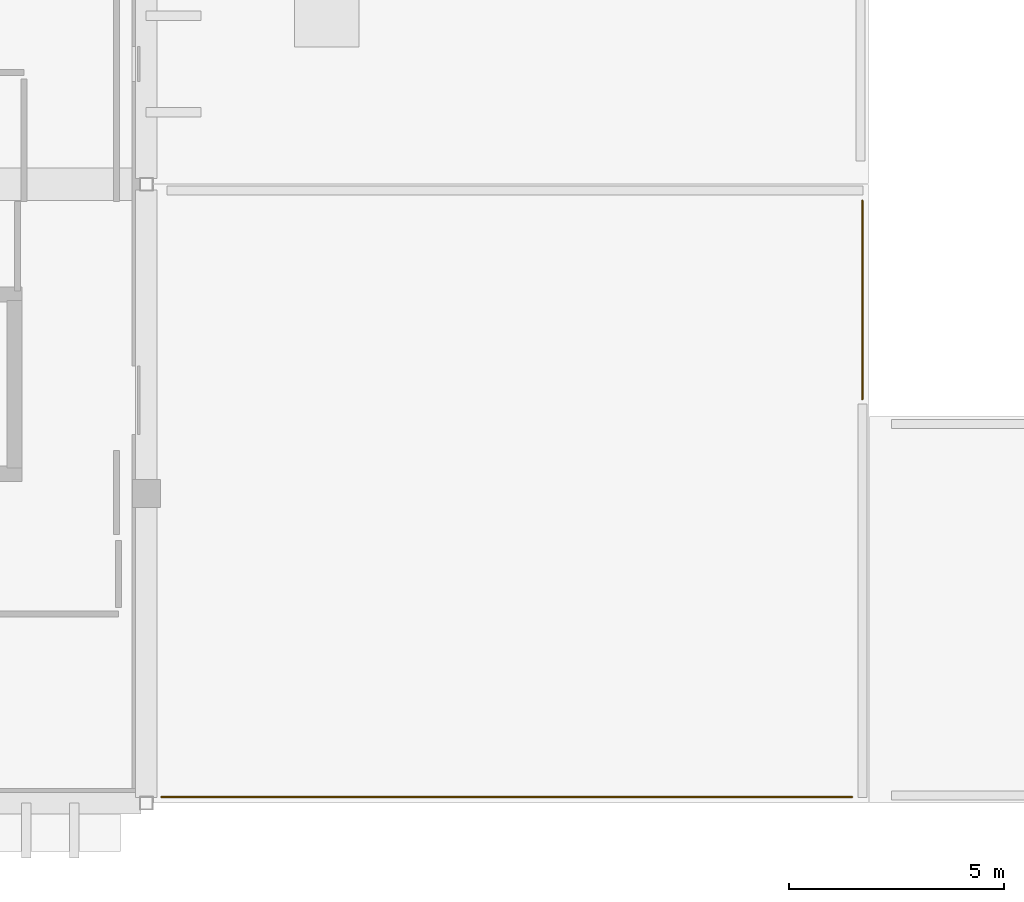
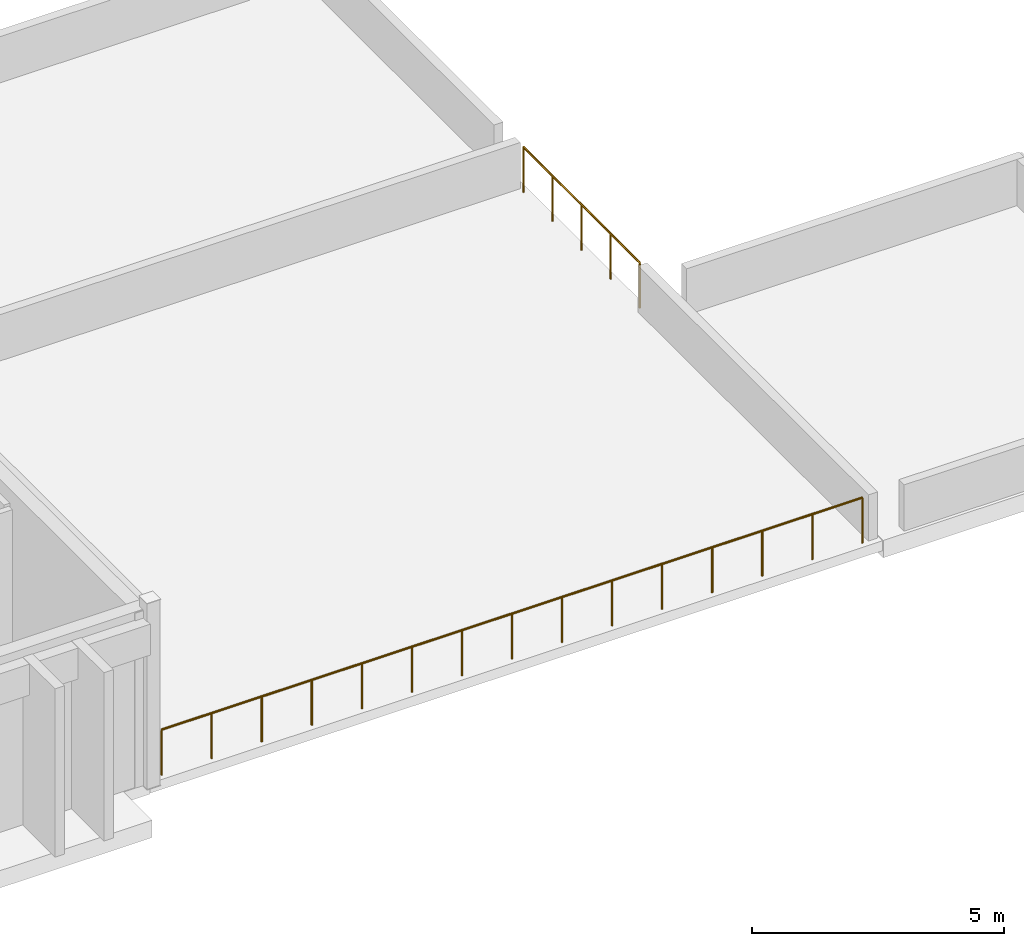
# One storey, part 7 of 7: 2 railings.
"""IFC4 building model written with IfcOpenShell, lengths in metres."""

from ifc_helpers import new_model, si_unit, direction, frame, origin, origin_2d, place, context, subcontext, project, spatial, circle, extrude, material, type_object, element, save


model = new_model("IFC4")

# Units and contexts
model_context = context("Model", 3, precision=1e-05, world=origin(), true_north=direction((0.0, 1.0)))
body_context = subcontext(model_context, "Body", "Model", "MODEL_VIEW")
ifc_project = project(units=[si_unit("LENGTHUNIT", "METRE"), si_unit("AREAUNIT", "SQUARE_METRE"), si_unit("VOLUMEUNIT", "CUBIC_METRE"), si_unit("PLANEANGLEUNIT", "RADIAN"), si_unit("MASSUNIT", "GRAM", prefix="KILO")], contexts=[model_context])

# Site, building, storey
site_placement = place(None, origin())
site = spatial("IfcSite", under=ifc_project, at=site_placement, CompositionType="ELEMENT")
building_placement = place(site_placement, origin())
building = spatial("IfcBuilding", under=site, at=building_placement, Name="Quendrovan Civic Courthouse", CompositionType="ELEMENT")
storey_placement = place(building_placement, frame((0.0, 0.0, 40.199951171875)))
storey = spatial("IfcBuildingStorey", under=building, at=storey_placement, Name="L09", CompositionType="ELEMENT", Elevation=40.199951171875)

# Railings
ifc_material = material(Name="Bronze anodised aluminium", Category="aluminium")
railing_type = type_object("IfcRailingType", Name="RL-EXT-GUARD1100", PredefinedType="GUARDRAIL", material=ifc_material)
railing_1_placement = place(storey_placement, frame((83.860107421875, 96.9990234375, 0.0)))
element("IfcRailing", 1, at=railing_1_placement, inside=storey, type_object=railing_type, Name="L09 Terrace Edge Guardrail 012", PredefinedType="GUARDRAIL", context=body_context, shape_type="SweptSolid", body=[
    extrude(circle(Radius=0.02392578125, at=origin_2d()), frame((0.0, 0.0, 1.09619140625), z_axis=(0.0, 1.0, 0.0), x_axis=(-1.0, 0.0, 0.0)), (0.0, 0.0, 1.0), 4.62109375),
    extrude(circle(Radius=0.02099609375, at=origin_2d()), origin(), (0.0, 0.0, 1.0), 1.072021484375),
    extrude(circle(Radius=0.02099609375, at=origin_2d()), frame((0.0, 1.1552734375, 0.0)), (0.0, 0.0, 1.0), 1.072021484375),
    extrude(circle(Radius=0.02099609375, at=origin_2d()), frame((0.0, 2.310546875, 0.0)), (0.0, 0.0, 1.0), 1.072021484375),
    extrude(circle(Radius=0.02099609375, at=origin_2d()), frame((0.0, 3.4658203125, 0.0)), (0.0, 0.0, 1.0), 1.072021484375),
    extrude(circle(Radius=0.02099609375, at=origin_2d()), frame((0.0, 4.62109375, 0.0)), (0.0, 0.0, 1.0), 1.072021484375),
])
railing_2_placement = place(storey_placement, frame((67.550048828125, 87.739990234375, 0.0)))
element("IfcRailing", 2, at=railing_2_placement, inside=storey, type_object=railing_type, Name="L09 Terrace Edge Guardrail 013", PredefinedType="GUARDRAIL", context=body_context, shape_type="SweptSolid", body=[
    extrude(circle(Radius=0.02392578125, at=origin_2d()), frame((0.0, 0.0, 1.09619140625), z_axis=(1.0, 0.0, 0.0), x_axis=(0.0, 1.0, 0.0)), (0.0, 0.0, 1.0), 16.070068359375),
    extrude(circle(Radius=0.02099609375, at=origin_2d()), origin(), (0.0, 0.0, 1.0), 1.072021484375),
    extrude(circle(Radius=0.02099609375, at=origin_2d()), frame((1.14794921875, 0.0, 0.0)), (0.0, 0.0, 1.0), 1.072021484375),
    extrude(circle(Radius=0.02099609375, at=origin_2d()), frame((2.295654296875, 0.0, 0.0)), (0.0, 0.0, 1.0), 1.072021484375),
    extrude(circle(Radius=0.02099609375, at=origin_2d()), frame((3.443603515625, 0.0, 0.0)), (0.0, 0.0, 1.0), 1.072021484375),
    extrude(circle(Radius=0.02099609375, at=origin_2d()), frame((4.591552734375, 0.0, 0.0)), (0.0, 0.0, 1.0), 1.072021484375),
    extrude(circle(Radius=0.02099609375, at=origin_2d()), frame((5.7392578125, 0.0, 0.0)), (0.0, 0.0, 1.0), 1.072021484375),
    extrude(circle(Radius=0.02099609375, at=origin_2d()), frame((6.88720703125, 0.0, 0.0)), (0.0, 0.0, 1.0), 1.072021484375),
    extrude(circle(Radius=0.02099609375, at=origin_2d()), frame((8.03515625, 0.0, 0.0)), (0.0, 0.0, 1.0), 1.072021484375),
    extrude(circle(Radius=0.02099609375, at=origin_2d()), frame((9.182861328125, 0.0, 0.0)), (0.0, 0.0, 1.0), 1.072021484375),
    extrude(circle(Radius=0.02099609375, at=origin_2d()), frame((10.330810546875, 0.0, 0.0)), (0.0, 0.0, 1.0), 1.072021484375),
    extrude(circle(Radius=0.02099609375, at=origin_2d()), frame((11.478515625, 0.0, 0.0)), (0.0, 0.0, 1.0), 1.072021484375),
    extrude(circle(Radius=0.02099609375, at=origin_2d()), frame((12.62646484375, 0.0, 0.0)), (0.0, 0.0, 1.0), 1.072021484375),
    extrude(circle(Radius=0.02099609375, at=origin_2d()), frame((13.7744140625, 0.0, 0.0)), (0.0, 0.0, 1.0), 1.072021484375),
    extrude(circle(Radius=0.02099609375, at=origin_2d()), frame((14.922119140625, 0.0, 0.0)), (0.0, 0.0, 1.0), 1.072021484375),
    extrude(circle(Radius=0.02099609375, at=origin_2d()), frame((16.070068359375, 0.0, 0.0)), (0.0, 0.0, 1.0), 1.072021484375),
])

save(model, "model.ifc")
